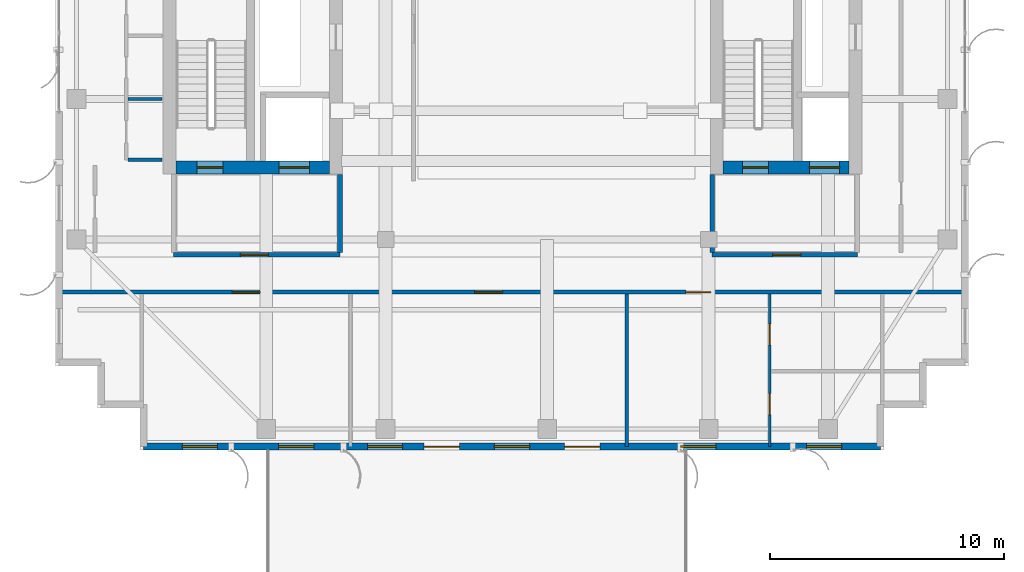
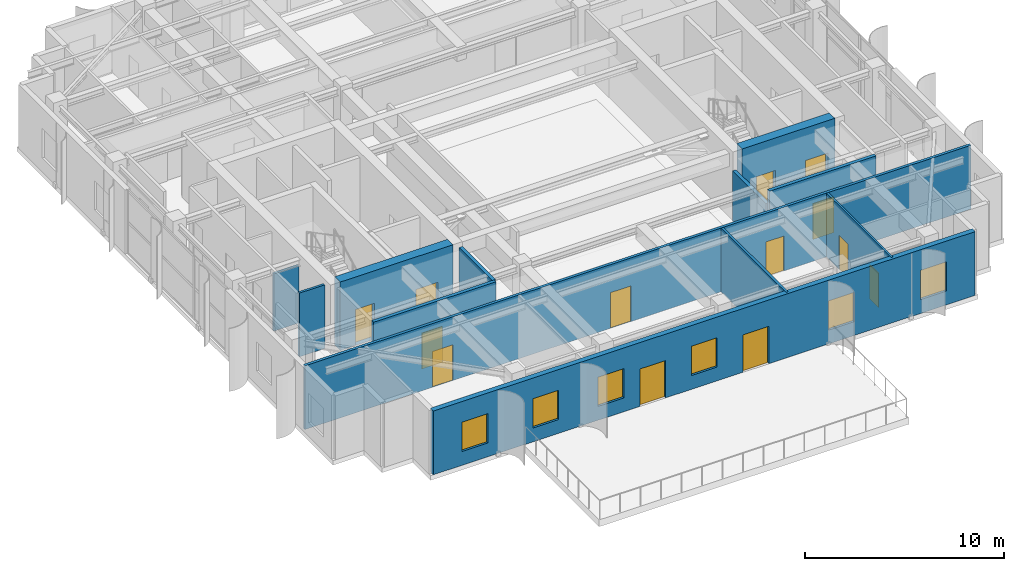
# One storey, part 13 of 19: 13 doors, 12 walls, 6 windows, 19 openings.
"""IFC4 building model written with IfcOpenShell, lengths in metres."""

from ifc_helpers import new_model, si_unit, direction, frame, frame_2d, origin, place, context, subcontext, project, spatial, rectangle, extrude, source, transform, mapped, material, layer, layer_set, type_object, element, fill, save


model = new_model("IFC4")

# Units and contexts
model_context = context("Model", 3, precision=1e-05, world=origin(), true_north=direction((0.0, 1.0)))
body_context = subcontext(model_context, "Body", "Model", "MODEL_VIEW")
ifc_project = project(units=[si_unit("LENGTHUNIT", "METRE"), si_unit("AREAUNIT", "SQUARE_METRE"), si_unit("VOLUMEUNIT", "CUBIC_METRE"), si_unit("PLANEANGLEUNIT", "RADIAN"), si_unit("MASSUNIT", "GRAM", prefix="KILO")], contexts=[model_context])

# Site, building, storey
site_placement = place(None, origin())
site = spatial("IfcSite", under=ifc_project, at=site_placement, CompositionType="ELEMENT")
building_placement = place(site_placement, origin())
building = spatial("IfcBuilding", under=site, at=building_placement, Name="Khoralis Quay Care Tower", CompositionType="ELEMENT")
storey_placement = place(building_placement, frame((0.0, 0.0, 285.300048828125)))
storey = spatial("IfcBuildingStorey", under=building, at=storey_placement, Name="L75", CompositionType="ELEMENT", Elevation=285.300048828125)

# Wall, opening, door
ifc_material_1 = material(Name="Gypsum plasterboard on acoustic metal stud")
ifc_layer_1 = layer(ifc_material_1, 0.199951171875)
ifc_layer_set_1 = layer_set([ifc_layer_1], Name="Gypsum plasterboard on acoustic metal stud")
wall_type_1 = type_object("IfcWallType", Name="WL-COMP-200", PredefinedType="PARTITIONING", material=ifc_layer_set_1)
wall_1_placement = place(storey_placement, frame((8.050048828125, 11.35009765625, 0.0), z_axis=(0.0, 0.0, 1.0), x_axis=(1.0, 0.0, 0.0)))
wall_1 = element("IfcWall", 1, at=wall_1_placement, inside=storey, type_object=wall_type_1, Name="L75 West Firefighting Lobby South Wall", PredefinedType="PARTITIONING", context=body_context, shape_type="SweptSolid", body=[
    extrude(rectangle(XDim=7.099853515625, YDim=0.199951171875, at=frame_2d((3.5498046875, 0.0))), origin(), (0.0, 0.0, 1.0), 3.919921875),
])
opening_1_placement = place(wall_1_placement, frame((2.846435546875, 0.0, 0.0)))
opening_1 = element("IfcOpeningElement", 2, at=opening_1_placement, cuts=wall_1, Name="Opening FD1", PredefinedType="OPENING", context=body_context, shape_type="SweptSolid", body=[
    extrude(rectangle(XDim=1.199951171875, YDim=2.199951171875, at=frame_2d((0.60009765625, 1.10009765625))), frame((0.0, 0.10986328125, 0.0), z_axis=(0.0, -1.0, 0.0), x_axis=(1.0, 0.0, 0.0)), (0.0, 0.0, 1.0), 0.219970703125),
])
ifc_material_2 = material(Name="Fire-rated painted steel", Category="steel")
door_type_1 = type_object("IfcDoorType", Name="DR-FFL-1200X2200", OperationType="NOTDEFINED", PredefinedType="DOOR", material=ifc_material_2)
shared_shape_1 = source(origin(), body_context, "Body", "SweptSolid", [
    extrude(rectangle(XDim=1.199951171875, YDim=2.199951171875, at=frame_2d((0.60009765625, 1.10009765625))), frame((0.0, 0.02490234375, 0.0), z_axis=(0.0, -1.0, 0.0), x_axis=(1.0, 0.0, 0.0)), (0.0, 0.0, 1.0), 0.050048828125),
])
door_1_placement = place(opening_1_placement, origin())
door_1 = element("IfcDoor", 3, at=door_1_placement, inside=storey, type_object=door_type_1, Name="L75 West Firefighting Lobby Fire Door", OperationType="SINGLE_SWING_LEFT", OverallHeight=2.199951171875, OverallWidth=1.199951171875, PredefinedType="DOOR", context=body_context, shape_type="MappedRepresentation", body=[
    mapped(shared_shape_1, transform((0.0, 0.0, 0.0), scale=1.0)),
])
fill(opening_1, door_1)

# Wall
wall_2_placement = place(storey_placement, frame((15.14990234375, 11.445068359375, 0.0), z_axis=(0.0, 0.0, 1.0), x_axis=(0.0, 1.0, 0.0)))
element("IfcWall", 4, at=wall_2_placement, inside=storey, type_object=wall_type_1, Name="L75 West Firefighting Lobby East Wall", PredefinedType="PARTITIONING", context=body_context, shape_type="SweptSolid", body=[
    extrude(rectangle(XDim=3.3349609375, YDim=0.199951171875, at=frame_2d((1.66748046875, 0.0))), origin(), (0.0, 0.0, 1.0), 3.919921875),
])

# Wall, opening, door
wall_3_placement = place(storey_placement, frame((31.050048828125, 11.35009765625, 0.0), z_axis=(0.0, 0.0, 1.0), x_axis=(1.0, 0.0, 0.0)))
wall_3 = element("IfcWall", 5, at=wall_3_placement, inside=storey, type_object=wall_type_1, Name="L75 East Firefighting Lobby South Wall", PredefinedType="PARTITIONING", context=body_context, shape_type="SweptSolid", body=[
    extrude(rectangle(XDim=6.199951171875, YDim=0.199951171875, at=frame_2d((3.10009765625, 0.0))), origin(), (0.0, 0.0, 1.0), 3.919921875),
])
opening_2_placement = place(wall_3_placement, frame((2.585693359375, 0.0, 0.0)))
opening_2 = element("IfcOpeningElement", 6, at=opening_2_placement, cuts=wall_3, Name="Opening FD1", PredefinedType="OPENING", context=body_context, shape_type="SweptSolid", body=[
    extrude(rectangle(XDim=1.199951171875, YDim=2.199951171875, at=frame_2d((0.60009765625, 1.10009765625))), frame((0.0, 0.10986328125, 0.0), z_axis=(0.0, -1.0, 0.0), x_axis=(1.0, 0.0, 0.0)), (0.0, 0.0, 1.0), 0.219970703125),
])
door_2_placement = place(opening_2_placement, origin())
door_2 = element("IfcDoor", 7, at=door_2_placement, inside=storey, type_object=door_type_1, Name="L75 East Firefighting Lobby Fire Door", OperationType="SINGLE_SWING_RIGHT", OverallHeight=2.199951171875, OverallWidth=1.199951171875, PredefinedType="DOOR", context=body_context, shape_type="MappedRepresentation", body=[
    mapped(shared_shape_1, transform((0.0, 0.0, 0.0), scale=1.0)),
])
fill(opening_2, door_2)

# Wall
wall_4_placement = place(storey_placement, frame((31.050048828125, 11.445068359375, 0.0), z_axis=(0.0, 0.0, 1.0), x_axis=(0.0, 1.0, 0.0)))
element("IfcWall", 8, at=wall_4_placement, inside=storey, type_object=wall_type_1, Name="L75 East Firefighting Lobby West Wall", PredefinedType="PARTITIONING", context=body_context, shape_type="SweptSolid", body=[
    extrude(rectangle(XDim=3.3349609375, YDim=0.199951171875, at=frame_2d((1.66748046875, 0.0))), origin(), (0.0, 0.0, 1.0), 3.070068359375),
])

# Wall, openings, doors
ifc_material_3 = material(Name="Concrete C65/80", Category="concrete")
ifc_layer_2 = layer(ifc_material_3, 0.550048828125)
ifc_layer_set_2 = layer_set([ifc_layer_2], Name="Concrete C65/80")
wall_type_2 = type_object("IfcWallType", Name="WL-CORE-550", PredefinedType="SHEAR", material=ifc_layer_set_2)
wall_5_placement = place(storey_placement, frame((8.14990234375, 15.074951171875, 0.0), z_axis=(0.0, 0.0, 1.0), x_axis=(1.0, 0.0, 0.0)))
wall_5 = element("IfcWall", 9, at=wall_5_placement, inside=storey, type_object=wall_type_2, Name="L75 WCORE South Shear Wall", PredefinedType="SHEAR", context=body_context, shape_type="SweptSolid", body=[
    extrude(rectangle(XDim=6.550048828125, YDim=0.550048828125, at=frame_2d((3.27490234375, 0.0))), origin(), (0.0, 0.0, 1.0), 4.199951171875),
])
opening_3_placement = place(wall_5_placement, frame((0.89990234375, 0.0, 0.0)))
opening_3 = element("IfcOpeningElement", 10, at=opening_3_placement, cuts=wall_5, Name="Opening SD1", PredefinedType="OPENING", context=body_context, shape_type="SweptSolid", body=[
    extrude(rectangle(XDim=1.10009765625, YDim=2.199951171875, at=frame_2d((0.550048828125, 1.10009765625))), frame((0.0, 0.28515625, 0.0), z_axis=(0.0, -1.0, 0.0), x_axis=(1.0, 0.0, 0.0)), (0.0, 0.0, 1.0), 0.570068359375),
])
opening_4_placement = place(wall_5_placement, frame((4.39990234375, 0.0, 0.0)))
opening_4 = element("IfcOpeningElement", 11, at=opening_4_placement, cuts=wall_5, Name="Opening LD2", PredefinedType="OPENING", context=body_context, shape_type="SweptSolid", body=[
    extrude(rectangle(XDim=1.300048828125, YDim=2.199951171875, at=frame_2d((0.64990234375, 1.10009765625))), frame((0.0, 0.28515625, 0.0), z_axis=(0.0, -1.0, 0.0), x_axis=(1.0, 0.0, 0.0)), (0.0, 0.0, 1.0), 0.570068359375),
])
door_type_2 = type_object("IfcDoorType", Name="DR-STAIR-1100X2200", OperationType="NOTDEFINED", PredefinedType="DOOR", material=ifc_material_2)
shared_shape_2 = source(origin(), body_context, "Body", "SweptSolid", [
    extrude(rectangle(XDim=1.10009765625, YDim=2.199951171875, at=frame_2d((0.550048828125, 1.10009765625))), frame((0.0, 0.02490234375, 0.0), z_axis=(0.0, -1.0, 0.0), x_axis=(1.0, 0.0, 0.0)), (0.0, 0.0, 1.0), 0.050048828125),
])
door_3_placement = place(opening_3_placement, origin())
door_3 = element("IfcDoor", 12, at=door_3_placement, inside=storey, type_object=door_type_2, Name="L75 Stair ST-T1 Fire Door", OperationType="SINGLE_SWING_LEFT", OverallHeight=2.199951171875, OverallWidth=1.10009765625, PredefinedType="DOOR", context=body_context, shape_type="MappedRepresentation", body=[
    mapped(shared_shape_2, transform((0.0, 0.0, 0.0), scale=1.0)),
])
fill(opening_3, door_3)
ifc_material_4 = material(Name="Brushed stainless steel", Category="steel")
door_type_3 = type_object("IfcDoorType", Name="DR-LIFT-1300X2200", OperationType="SLIDING_TO_RIGHT", PredefinedType="DOOR", material=ifc_material_4)
shared_shape_3 = source(origin(), body_context, "Body", "SweptSolid", [
    extrude(rectangle(XDim=1.300048828125, YDim=2.199951171875, at=frame_2d((0.64990234375, 1.10009765625))), frame((0.0, 0.02490234375, 0.0), z_axis=(0.0, -1.0, 0.0), x_axis=(1.0, 0.0, 0.0)), (0.0, 0.0, 1.0), 0.050048828125),
])
door_4_placement = place(opening_4_placement, origin())
door_4 = element("IfcDoor", 13, at=door_4_placement, inside=storey, type_object=door_type_3, Name="L75 Firefighting Lift FFL-1 Landing Door", OperationType="SLIDING_TO_RIGHT", OverallHeight=2.199951171875, OverallWidth=1.300048828125, PredefinedType="DOOR", context=body_context, shape_type="MappedRepresentation", body=[
    mapped(shared_shape_3, transform((0.0, 0.0, 0.0), scale=1.0)),
])
fill(opening_4, door_4)

wall_6_placement = place(storey_placement, frame((31.52001953125, 15.074951171875, 0.0), z_axis=(0.0, 0.0, 1.0), x_axis=(1.0, 0.0, 0.0)))
wall_6 = element("IfcWall", 14, at=wall_6_placement, inside=storey, type_object=wall_type_2, Name="L75 ECORE South Shear Wall", PredefinedType="SHEAR", context=body_context, shape_type="SweptSolid", body=[
    extrude(rectangle(XDim=5.3798828125, YDim=0.550048828125, at=frame_2d((2.68994140625, 0.0))), origin(), (0.0, 0.0, 1.0), 4.199951171875),
])
opening_5_placement = place(wall_6_placement, frame((0.830078125, 0.0, 0.0)))
opening_5 = element("IfcOpeningElement", 15, at=opening_5_placement, cuts=wall_6, Name="Opening SD1", PredefinedType="OPENING", context=body_context, shape_type="SweptSolid", body=[
    extrude(rectangle(XDim=1.10009765625, YDim=2.199951171875, at=frame_2d((0.550048828125, 1.10009765625))), frame((0.0, 0.28515625, 0.0), z_axis=(0.0, -1.0, 0.0), x_axis=(1.0, 0.0, 0.0)), (0.0, 0.0, 1.0), 0.570068359375),
])
opening_6_placement = place(wall_6_placement, frame((3.679931640625, 0.0, 0.0)))
opening_6 = element("IfcOpeningElement", 16, at=opening_6_placement, cuts=wall_6, Name="Opening LD2", PredefinedType="OPENING", context=body_context, shape_type="SweptSolid", body=[
    extrude(rectangle(XDim=1.300048828125, YDim=2.199951171875, at=frame_2d((0.64990234375, 1.10009765625))), frame((0.0, 0.28515625, 0.0), z_axis=(0.0, -1.0, 0.0), x_axis=(1.0, 0.0, 0.0)), (0.0, 0.0, 1.0), 0.570068359375),
])
door_5_placement = place(opening_5_placement, origin())
door_5 = element("IfcDoor", 17, at=door_5_placement, inside=storey, type_object=door_type_2, Name="L75 Stair ST-T2 Fire Door", OperationType="SINGLE_SWING_RIGHT", OverallHeight=2.199951171875, OverallWidth=1.10009765625, PredefinedType="DOOR", context=body_context, shape_type="MappedRepresentation", body=[
    mapped(shared_shape_2, transform((0.0, 0.0, 0.0), scale=1.0)),
])
fill(opening_5, door_5)
door_6_placement = place(opening_6_placement, origin())
door_6 = element("IfcDoor", 18, at=door_6_placement, inside=storey, type_object=door_type_3, Name="L75 Firefighting Lift FFL-2 Landing Door", OperationType="SLIDING_TO_RIGHT", OverallHeight=2.199951171875, OverallWidth=1.300048828125, PredefinedType="DOOR", context=body_context, shape_type="MappedRepresentation", body=[
    mapped(shared_shape_3, transform((0.0, 0.0, 0.0), scale=1.0)),
])
fill(opening_6, door_6)

ifc_layer_3 = layer(ifc_material_1, 0.1650390625)
ifc_layer_set_3 = layer_set([ifc_layer_3], Name="Gypsum plasterboard on acoustic metal stud")
wall_type_3 = type_object("IfcWallType", Name="WL-CORR-165", PredefinedType="PARTITIONING", material=ifc_layer_set_3)
wall_7_placement = place(storey_placement, frame((3.14501953125, 9.75, 0.0), z_axis=(0.0, 0.0, 1.0), x_axis=(1.0, 0.0, 0.0)))
wall_7 = element("IfcWall", 19, at=wall_7_placement, inside=storey, type_object=wall_type_3, Name="L75 South Gallery Wall", PredefinedType="PARTITIONING", context=body_context, shape_type="SweptSolid", body=[
    extrude(rectangle(XDim=38.7099609375, YDim=0.1650390625, at=frame_2d((19.35498046875, 0.0))), origin(), (0.0, 0.0, 1.0), 3.919921875),
])
opening_7_placement = place(wall_7_placement, frame((7.39501953125, 0.0, 0.0)))
opening_7 = element("IfcOpeningElement", 20, at=opening_7_placement, cuts=wall_7, Name="Opening FD1", PredefinedType="OPENING", context=body_context, shape_type="SweptSolid", body=[
    extrude(rectangle(XDim=1.199951171875, YDim=2.199951171875, at=frame_2d((0.60009765625, 1.10009765625))), frame((0.0, 0.092529296875, 0.0), z_axis=(0.0, -1.0, 0.0), x_axis=(1.0, 0.0, 0.0)), (0.0, 0.0, 1.0), 0.18505859375),
])
opening_8_placement = place(wall_7_placement, frame((17.7548828125, 0.0, 0.0)))
opening_8 = element("IfcOpeningElement", 21, at=opening_8_placement, cuts=wall_7, Name="Opening FD1", PredefinedType="OPENING", context=body_context, shape_type="SweptSolid", body=[
    extrude(rectangle(XDim=1.199951171875, YDim=2.199951171875, at=frame_2d((0.60009765625, 1.10009765625))), frame((0.0, 0.092529296875, 0.0), z_axis=(0.0, -1.0, 0.0), x_axis=(1.0, 0.0, 0.0)), (0.0, 0.0, 1.0), 0.18505859375),
])
opening_9_placement = place(wall_7_placement, frame((26.78759765625, 0.0, 0.0)))
opening_9 = element("IfcOpeningElement", 22, at=opening_9_placement, cuts=wall_7, Name="Opening UD1", PredefinedType="OPENING", context=body_context, shape_type="SweptSolid", body=[
    extrude(rectangle(XDim=1.050048828125, YDim=2.14990234375, at=frame_2d((0.52490234375, 1.074951171875))), frame((0.0, 0.092529296875, 0.0), z_axis=(0.0, -1.0, 0.0), x_axis=(1.0, 0.0, 0.0)), (0.0, 0.0, 1.0), 0.18505859375),
])
door_7_placement = place(opening_7_placement, frame((1.199951171875, 0.0, 0.0), z_axis=(0.0, 0.0, 1.0), x_axis=(-1.0, 0.0, 0.0)))
door_7 = element("IfcDoor", 23, at=door_7_placement, inside=storey, type_object=door_type_1, Name="L75 Resident Communal Day Lounge Door", OperationType="DOUBLE_DOOR_SINGLE_SWING", OverallHeight=2.199951171875, OverallWidth=1.199951171875, PredefinedType="DOOR", context=body_context, shape_type="MappedRepresentation", body=[
    mapped(shared_shape_1, transform((0.0, 0.0, 0.0), scale=1.0)),
])
fill(opening_7, door_7)
door_8_placement = place(opening_8_placement, frame((1.199951171875, 0.0, 0.0), z_axis=(0.0, 0.0, 1.0), x_axis=(-1.0, 0.0, 0.0)))
door_8 = element("IfcDoor", 24, at=door_8_placement, inside=storey, type_object=door_type_1, Name="L75 Resident Communal Day Lounge Door", OperationType="DOUBLE_DOOR_SINGLE_SWING", OverallHeight=2.199951171875, OverallWidth=1.199951171875, PredefinedType="DOOR", context=body_context, shape_type="MappedRepresentation", body=[
    mapped(shared_shape_1, transform((0.0, 0.0, 0.0), scale=1.0)),
])
fill(opening_8, door_8)
ifc_material_5 = material(Name="Acoustic hardwood timber", Category="wood")
door_type_4 = type_object("IfcDoorType", Name="DR-SUITE-1050X2150", OperationType="NOTDEFINED", PredefinedType="DOOR", material=ifc_material_5)
shared_shape_4 = source(origin(), body_context, "Body", "SweptSolid", [
    extrude(rectangle(XDim=1.050048828125, YDim=2.14990234375, at=frame_2d((0.52490234375, 1.074951171875))), frame((0.0, 0.02490234375, 0.0), z_axis=(0.0, -1.0, 0.0), x_axis=(1.0, 0.0, 0.0)), (0.0, 0.0, 1.0), 0.050048828125),
])
door_9_placement = place(opening_9_placement, frame((1.050048828125, 0.0, 0.0), z_axis=(0.0, 0.0, 1.0), x_axis=(-1.0, 0.0, 0.0)))
door_9 = element("IfcDoor", 25, at=door_9_placement, inside=storey, type_object=door_type_4, Name="L75 Studio SB2 Entrance", OperationType="SINGLE_SWING_LEFT", OverallHeight=2.14990234375, OverallWidth=1.050048828125, PredefinedType="DOOR", context=body_context, shape_type="MappedRepresentation", body=[
    mapped(shared_shape_4, transform((0.0, 0.0, 0.0), scale=1.0)),
])
fill(opening_9, door_9)

# Wall, openings, doors, windows
ifc_material_6 = material(Name="Precast concrete C45/55", Category="concrete")
ifc_layer_4 = layer(ifc_material_6, 0.300048828125)
ifc_layer_set_4 = layer_set([ifc_layer_4], Name="Precast concrete C45/55")
wall_type_4 = type_object("IfcWallType", Name="WL-EXT-REF-300", PredefinedType="SOLIDWALL", material=ifc_layer_set_4)
wall_8_placement = place(storey_placement, frame((6.75, 3.14990234375, 0.0), z_axis=(0.0, 0.0, 1.0), x_axis=(1.0, 0.0, 0.0)))
wall_8 = element("IfcWall", 26, at=wall_8_placement, inside=storey, type_object=wall_type_4, Name="L75 External Facade Wall WL-EXT-L75-P1-E0", PredefinedType="SOLIDWALL", context=body_context, shape_type="SweptSolid", body=[
    extrude(rectangle(XDim=31.5, YDim=0.300048828125, at=frame_2d((15.75, 0.0))), origin(), (0.0, 0.0, 1.0), 3.919921875),
])
opening_10_placement = place(wall_8_placement, frame((1.66748046875, 0.0, 0.85009765625)))
opening_10 = element("IfcOpeningElement", 27, at=opening_10_placement, cuts=wall_8, Name="Opening W3", PredefinedType="OPENING", context=body_context, shape_type="SweptSolid", body=[
    extrude(rectangle(XDim=1.5, YDim=1.800048828125, at=frame_2d((0.75, 0.89990234375))), frame((0.0, 0.16015625, 0.0), z_axis=(0.0, -1.0, 0.0), x_axis=(1.0, 0.0, 0.0)), (0.0, 0.0, 1.0), 0.320068359375),
])
opening_11_placement = place(wall_8_placement, frame((5.782470703125, 0.0, 0.85009765625)))
opening_11 = element("IfcOpeningElement", 28, at=opening_11_placement, cuts=wall_8, Name="Opening W3", PredefinedType="OPENING", context=body_context, shape_type="SweptSolid", body=[
    extrude(rectangle(XDim=1.5, YDim=1.800048828125, at=frame_2d((0.75, 0.89990234375))), frame((0.0, 0.16015625, 0.0), z_axis=(0.0, -1.0, 0.0), x_axis=(1.0, 0.0, 0.0)), (0.0, 0.0, 1.0), 0.320068359375),
])
opening_12_placement = place(wall_8_placement, frame((9.580078125, 0.0, 0.85009765625)))
opening_12 = element("IfcOpeningElement", 29, at=opening_12_placement, cuts=wall_8, Name="Opening W3", PredefinedType="OPENING", context=body_context, shape_type="SweptSolid", body=[
    extrude(rectangle(XDim=1.5, YDim=1.800048828125, at=frame_2d((0.75, 0.89990234375))), frame((0.0, 0.16015625, 0.0), z_axis=(0.0, -1.0, 0.0), x_axis=(1.0, 0.0, 0.0)), (0.0, 0.0, 1.0), 0.320068359375),
])
opening_13_placement = place(wall_8_placement, frame((15.0, 0.0, 0.85009765625)))
opening_13 = element("IfcOpeningElement", 30, at=opening_13_placement, cuts=wall_8, Name="Opening W3", PredefinedType="OPENING", context=body_context, shape_type="SweptSolid", body=[
    extrude(rectangle(XDim=1.5, YDim=1.800048828125, at=frame_2d((0.75, 0.89990234375))), frame((0.0, 0.16015625, 0.0), z_axis=(0.0, -1.0, 0.0), x_axis=(1.0, 0.0, 0.0)), (0.0, 0.0, 1.0), 0.320068359375),
])
opening_14_placement = place(wall_8_placement, frame((22.95751953125, 0.0, 0.85009765625)))
opening_14 = element("IfcOpeningElement", 31, at=opening_14_placement, cuts=wall_8, Name="Opening W3", PredefinedType="OPENING", context=body_context, shape_type="SweptSolid", body=[
    extrude(rectangle(XDim=1.5, YDim=1.800048828125, at=frame_2d((0.75, 0.89990234375))), frame((0.0, 0.16015625, 0.0), z_axis=(0.0, -1.0, 0.0), x_axis=(1.0, 0.0, 0.0)), (0.0, 0.0, 1.0), 0.320068359375),
])
opening_15_placement = place(wall_8_placement, frame((28.33251953125, 0.0, 0.85009765625)))
opening_15 = element("IfcOpeningElement", 32, at=opening_15_placement, cuts=wall_8, Name="Opening W3", PredefinedType="OPENING", context=body_context, shape_type="SweptSolid", body=[
    extrude(rectangle(XDim=1.5, YDim=1.800048828125, at=frame_2d((0.75, 0.89990234375))), frame((0.0, 0.16015625, 0.0), z_axis=(0.0, -1.0, 0.0), x_axis=(1.0, 0.0, 0.0)), (0.0, 0.0, 1.0), 0.320068359375),
])
opening_16_placement = place(wall_8_placement, frame((12.0, 0.0, 0.0)))
opening_16 = element("IfcOpeningElement", 33, at=opening_16_placement, cuts=wall_8, Name="Opening TD1", PredefinedType="OPENING", context=body_context, shape_type="SweptSolid", body=[
    extrude(rectangle(XDim=1.5, YDim=2.300048828125, at=frame_2d((0.75, 1.14990234375))), frame((0.0, 0.16015625, 0.0), z_axis=(0.0, -1.0, 0.0), x_axis=(1.0, 0.0, 0.0)), (0.0, 0.0, 1.0), 0.320068359375),
])
opening_17_placement = place(wall_8_placement, frame((18.0, 0.0, 0.0)))
opening_17 = element("IfcOpeningElement", 34, at=opening_17_placement, cuts=wall_8, Name="Opening TD1", PredefinedType="OPENING", context=body_context, shape_type="SweptSolid", body=[
    extrude(rectangle(XDim=1.5, YDim=2.300048828125, at=frame_2d((0.75, 1.14990234375))), frame((0.0, 0.16015625, 0.0), z_axis=(0.0, -1.0, 0.0), x_axis=(1.0, 0.0, 0.0)), (0.0, 0.0, 1.0), 0.320068359375),
])
ifc_material_7 = material(Name="Anodised aluminium and laminated safety glass", Category="aluminium")
door_type_5 = type_object("IfcDoorType", Name="DR-EXT-TERR-1500X2300", OperationType="NOTDEFINED", PredefinedType="DOOR", material=ifc_material_7)
shared_shape_5 = source(origin(), body_context, "Body", "SweptSolid", [
    extrude(rectangle(XDim=1.5, YDim=2.300048828125, at=frame_2d((0.75, 1.14990234375))), frame((0.0, 0.02490234375, 0.0), z_axis=(0.0, -1.0, 0.0), x_axis=(1.0, 0.0, 0.0)), (0.0, 0.0, 1.0), 0.050048828125),
])
door_10_placement = place(opening_16_placement, frame((1.5, 0.0, 0.0), z_axis=(0.0, 0.0, 1.0), x_axis=(-1.0, 0.0, 0.0)))
door_10 = element("IfcDoor", 35, at=door_10_placement, inside=storey, type_object=door_type_5, Name="L75 Sky Pool Terrace Door 1", OperationType="DOUBLE_DOOR_SINGLE_SWING", OverallHeight=2.300048828125, OverallWidth=1.5, PredefinedType="DOOR", context=body_context, shape_type="MappedRepresentation", body=[
    mapped(shared_shape_5, transform((0.0, 0.0, 0.0), scale=1.0)),
])
fill(opening_16, door_10)
door_11_placement = place(opening_17_placement, frame((1.5, 0.0, 0.0), z_axis=(0.0, 0.0, 1.0), x_axis=(-1.0, 0.0, 0.0)))
door_11 = element("IfcDoor", 36, at=door_11_placement, inside=storey, type_object=door_type_5, Name="L75 Sky Pool Terrace Door 2", OperationType="DOUBLE_DOOR_SINGLE_SWING", OverallHeight=2.300048828125, OverallWidth=1.5, PredefinedType="DOOR", context=body_context, shape_type="MappedRepresentation", body=[
    mapped(shared_shape_5, transform((0.0, 0.0, 0.0), scale=1.0)),
])
fill(opening_17, door_11)
ifc_material_8 = material(Name="Low-E solar-control double glazing", Category="glass")
window_type = type_object("IfcWindowType", Name="WN-CLIN-1500X1800", PartitioningType="SINGLE_PANEL", PredefinedType="WINDOW", material=ifc_material_8)
shared_shape_6 = source(origin(), body_context, "Body", "SweptSolid", [
    extrude(rectangle(XDim=1.5, YDim=1.800048828125, at=frame_2d((0.75, 0.89990234375))), frame((0.0, 0.030029296875, 0.0), z_axis=(0.0, -1.0, 0.0), x_axis=(1.0, 0.0, 0.0)), (0.0, 0.0, 1.0), 0.06005859375),
])
window_1_placement = place(opening_10_placement, origin())
window_1 = element("IfcWindow", 37, at=window_1_placement, inside=storey, type_object=window_type, Name="WN-L75-P1-E0 Facade Window 01", OverallHeight=1.800048828125, OverallWidth=1.5, PartitioningType="SINGLE_PANEL", PredefinedType="WINDOW", context=body_context, shape_type="MappedRepresentation", body=[
    mapped(shared_shape_6, transform((0.0, 0.0, 0.0), scale=1.0)),
])
fill(opening_10, window_1)
window_2_placement = place(opening_11_placement, origin())
window_2 = element("IfcWindow", 38, at=window_2_placement, inside=storey, type_object=window_type, Name="WN-L75-P1-E0 Facade Window 02", OverallHeight=1.800048828125, OverallWidth=1.5, PartitioningType="SINGLE_PANEL", PredefinedType="WINDOW", context=body_context, shape_type="MappedRepresentation", body=[
    mapped(shared_shape_6, transform((0.0, 0.0, 0.0), scale=1.0)),
])
fill(opening_11, window_2)
window_3_placement = place(opening_12_placement, origin())
window_3 = element("IfcWindow", 39, at=window_3_placement, inside=storey, type_object=window_type, Name="WN-L75-P1-E0 Facade Window 03", OverallHeight=1.800048828125, OverallWidth=1.5, PartitioningType="SINGLE_PANEL", PredefinedType="WINDOW", context=body_context, shape_type="MappedRepresentation", body=[
    mapped(shared_shape_6, transform((0.0, 0.0, 0.0), scale=1.0)),
])
fill(opening_12, window_3)
window_4_placement = place(opening_13_placement, origin())
window_4 = element("IfcWindow", 40, at=window_4_placement, inside=storey, type_object=window_type, Name="WN-L75-P1-E0 Facade Window 04", OverallHeight=1.800048828125, OverallWidth=1.5, PartitioningType="SINGLE_PANEL", PredefinedType="WINDOW", context=body_context, shape_type="MappedRepresentation", body=[
    mapped(shared_shape_6, transform((0.0, 0.0, 0.0), scale=1.0)),
])
fill(opening_13, window_4)
window_5_placement = place(opening_14_placement, origin())
window_5 = element("IfcWindow", 41, at=window_5_placement, inside=storey, type_object=window_type, Name="WN-L75-P1-E0 Facade Window 05", OverallHeight=1.800048828125, OverallWidth=1.5, PartitioningType="SINGLE_PANEL", PredefinedType="WINDOW", context=body_context, shape_type="MappedRepresentation", body=[
    mapped(shared_shape_6, transform((0.0, 0.0, 0.0), scale=1.0)),
])
fill(opening_14, window_5)
window_6_placement = place(opening_15_placement, origin())
window_6 = element("IfcWindow", 42, at=window_6_placement, inside=storey, type_object=window_type, Name="WN-L75-P1-E0 Facade Window 06", OverallHeight=1.800048828125, OverallWidth=1.5, PartitioningType="SINGLE_PANEL", PredefinedType="WINDOW", context=body_context, shape_type="MappedRepresentation", body=[
    mapped(shared_shape_6, transform((0.0, 0.0, 0.0), scale=1.0)),
])
fill(opening_15, window_6)

# Wall, openings, doors
ifc_layer_5 = layer(ifc_material_1, 0.114990234375)
ifc_layer_set_5 = layer_set([ifc_layer_5], Name="Gypsum plasterboard on acoustic metal stud")
wall_type_5 = type_object("IfcWallType", Name="WL-PART-115", PredefinedType="PARTITIONING", material=ifc_layer_set_5)
wall_9_placement = place(storey_placement, frame((33.514892578125, 3.14501953125, 0.0), z_axis=(0.0, 0.0, 1.0), x_axis=(0.0, 1.0, 0.0)))
wall_9 = element("IfcWall", 43, at=wall_9_placement, inside=storey, type_object=wall_type_5, Name="L75 Studio 2 Internal Wall", PredefinedType="PARTITIONING", context=body_context, shape_type="SweptSolid", body=[
    extrude(rectangle(XDim=6.527587890625, YDim=0.114990234375, at=frame_2d((3.263671875, 0.0))), origin(), (0.0, 0.0, 1.0), 3.919921875),
])
opening_18_placement = place(wall_9_placement, frame((1.367431640625, 0.0, 0.0)))
opening_18 = element("IfcOpeningElement", 44, at=opening_18_placement, cuts=wall_9, Name="Opening WD1", PredefinedType="OPENING", context=body_context, shape_type="SweptSolid", body=[
    extrude(rectangle(XDim=0.89990234375, YDim=2.10009765625, at=frame_2d((0.449951171875, 1.050048828125))), frame((0.0, 0.0673828125, 0.0), z_axis=(0.0, -1.0, 0.0), x_axis=(1.0, 0.0, 0.0)), (0.0, 0.0, 1.0), 0.135009765625),
])
opening_19_placement = place(wall_9_placement, frame((4.3525390625, 0.0, 0.0)))
opening_19 = element("IfcOpeningElement", 45, at=opening_19_placement, cuts=wall_9, Name="Opening WD1", PredefinedType="OPENING", context=body_context, shape_type="SweptSolid", body=[
    extrude(rectangle(XDim=0.89990234375, YDim=2.10009765625, at=frame_2d((0.449951171875, 1.050048828125))), frame((0.0, 0.0673828125, 0.0), z_axis=(0.0, -1.0, 0.0), x_axis=(1.0, 0.0, 0.0)), (0.0, 0.0, 1.0), 0.135009765625),
])
door_type_6 = type_object("IfcDoorType", Name="DR-BATH-900X2100", OperationType="NOTDEFINED", PredefinedType="DOOR", material=ifc_material_5)
shared_shape_7 = source(origin(), body_context, "Body", "SweptSolid", [
    extrude(rectangle(XDim=0.89990234375, YDim=2.10009765625, at=frame_2d((0.449951171875, 1.050048828125))), frame((0.0, 0.02490234375, 0.0), z_axis=(0.0, -1.0, 0.0), x_axis=(1.0, 0.0, 0.0)), (0.0, 0.0, 1.0), 0.050048828125),
])
door_12_placement = place(opening_18_placement, frame((0.89990234375, 0.0, 0.0), z_axis=(0.0, 0.0, 1.0), x_axis=(-1.0, 0.0, 0.0)))
door_12 = element("IfcDoor", 46, at=door_12_placement, inside=storey, type_object=door_type_6, Name="L75 Studio SKT Door", OperationType="SINGLE_SWING_RIGHT", OverallHeight=2.10009765625, OverallWidth=0.89990234375, PredefinedType="DOOR", context=body_context, shape_type="MappedRepresentation", body=[
    mapped(shared_shape_7, transform((0.0, 0.0, 0.0), scale=1.0)),
])
fill(opening_18, door_12)
door_13_placement = place(opening_19_placement, frame((0.89990234375, 0.0, 0.0), z_axis=(0.0, 0.0, 1.0), x_axis=(-1.0, 0.0, 0.0)))
door_13 = element("IfcDoor", 47, at=door_13_placement, inside=storey, type_object=door_type_6, Name="L75 Studio SBH Door", OperationType="SINGLE_SWING_LEFT", OverallHeight=2.10009765625, OverallWidth=0.89990234375, PredefinedType="DOOR", context=body_context, shape_type="MappedRepresentation", body=[
    mapped(shared_shape_7, transform((0.0, 0.0, 0.0), scale=1.0)),
])
fill(opening_19, door_13)

# Walls
ifc_material_9 = material(Name="Moisture-resistant gypsum and ceramic tile")
ifc_layer_6 = layer(ifc_material_9, 0.280029296875)
ifc_layer_set_6 = layer_set([ifc_layer_6], Name="Moisture-resistant gypsum and ceramic tile")
wall_type_6 = type_object("IfcWallType", Name="WL-PLUMB-280", PredefinedType="PLUMBINGWALL", material=ifc_layer_set_6)
wall_10_placement = place(storey_placement, frame((6.097412109375, 18.0, 0.0), z_axis=(0.0, 0.0, 1.0), x_axis=(1.0, 0.0, 0.0)))
element("IfcWall", 48, at=wall_10_placement, inside=storey, type_object=wall_type_6, Name="L75 West Flank Divider 1", PredefinedType="PLUMBINGWALL", context=body_context, shape_type="SweptSolid", body=[
    extrude(rectangle(XDim=1.462646484375, YDim=0.139892578125, at=frame_2d((0.7314453125, 0.0))), origin(), (0.0, 0.0, 1.0), 3.52001953125),
])
ifc_layer_7 = layer(ifc_material_1, 0.139892578125)
ifc_layer_set_7 = layer_set([ifc_layer_7], Name="Gypsum plasterboard on acoustic metal stud")
wall_type_7 = type_object("IfcWallType", Name="WL-UNIT-140", PredefinedType="PARTITIONING", material=ifc_layer_set_7)
wall_11_placement = place(storey_placement, frame((6.097412109375, 15.39990234375, 0.0), z_axis=(0.0, 0.0, 1.0), x_axis=(1.0, 0.0, 0.0)))
element("IfcWall", 49, at=wall_11_placement, inside=storey, type_object=wall_type_7, Name="L75 West Flank South Cap", PredefinedType="PARTITIONING", context=body_context, shape_type="SweptSolid", body=[
    extrude(rectangle(XDim=1.462646484375, YDim=0.139892578125, at=frame_2d((0.7314453125, 0.0))), origin(), (0.0, 0.0, 1.0), 3.919921875),
])
wall_12_placement = place(storey_placement, frame((27.39990234375, 3.14501953125, 0.0), z_axis=(0.0, 0.0, 1.0), x_axis=(0.0, 1.0, 0.0)))
element("IfcWall", 50, at=wall_12_placement, inside=storey, type_object=wall_type_7, Name="L75 SB Demising Wall 2", PredefinedType="PARTITIONING", context=body_context, shape_type="SweptSolid", body=[
    extrude(rectangle(XDim=6.527587890625, YDim=0.139892578125, at=frame_2d((3.263671875, 0.0))), origin(), (0.0, 0.0, 1.0), 3.919921875),
])

save(model, "model.ifc")
